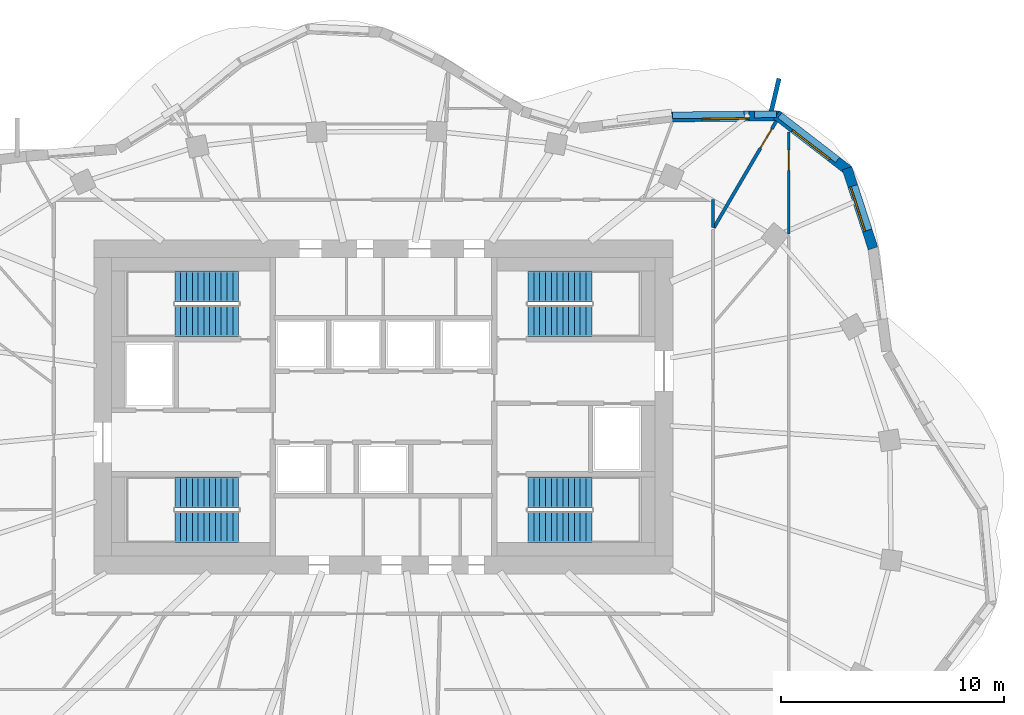
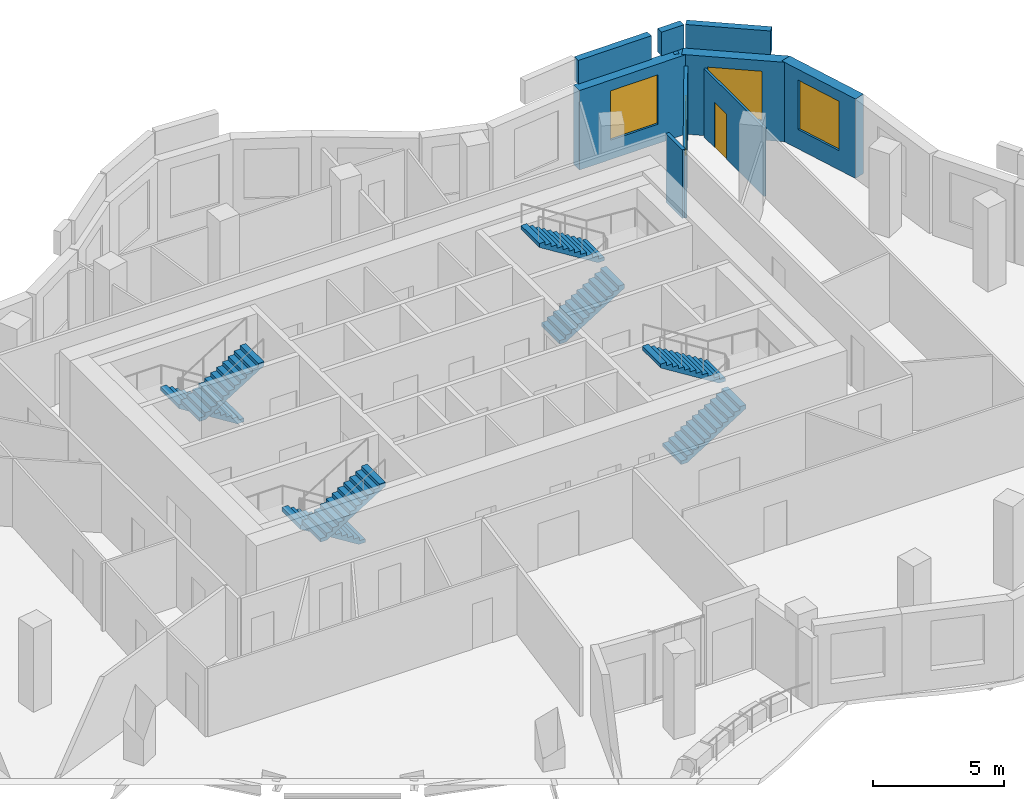
# One storey, part 10 of 12: 10 walls, 8 stair flights, 3 windows, 2 doors, 5 openings, 4 elements without a shape of their own.
"""IFC4 building model written with IfcOpenShell, lengths in metres."""

from ifc_helpers import new_model, si_unit, direction, frame, frame_2d, origin, place, context, subcontext, project, spatial, polyline, rectangle, outline, extrude, material, layer, layer_set, type_object, element, fill, aggregate, save


model = new_model("IFC4")

# Units and contexts
model_context = context("Model", 3, precision=1e-05, world=origin(), true_north=direction((0.0, 1.0)))
body_context = subcontext(model_context, "Body", "Model", "MODEL_VIEW")
ifc_project = project(units=[si_unit("LENGTHUNIT", "METRE"), si_unit("AREAUNIT", "SQUARE_METRE"), si_unit("VOLUMEUNIT", "CUBIC_METRE"), si_unit("PLANEANGLEUNIT", "RADIAN"), si_unit("MASSUNIT", "GRAM", prefix="KILO")], contexts=[model_context])

# Site, building, storey
site_placement = place(None, origin())
site = spatial("IfcSite", under=ifc_project, at=site_placement, CompositionType="ELEMENT")
building_placement = place(site_placement, origin())
building = spatial("IfcBuilding", under=site, at=building_placement, Name="Rubra Terraces Tower", CompositionType="ELEMENT")
storey_placement = place(building_placement, frame((0.0, 0.0, 276.60009765625)))
storey = spatial("IfcBuildingStorey", under=building, at=storey_placement, Name="L68", CompositionType="ELEMENT", Elevation=276.60009765625)

# Wall, opening, window
ifc_material_1 = material(Name="Brick masonry red-brown", Category="masonry")
ifc_layer_1 = layer(ifc_material_1, 0.449951171875)
ifc_layer_set_1 = layer_set([ifc_layer_1], Name="Brick masonry red-brown")
wall_type_1 = type_object("IfcWallType", Name="Brick facade wall 450", PredefinedType="SOLIDWALL", material=ifc_layer_set_1)
wall_1_placement = place(storey_placement, frame((21.985595703125, 11.613037109375, 0.0), z_axis=(0.0, 0.0, 1.0), x_axis=(-0.308280636233, 0.95129545848, 0.0)))
wall_1 = element("IfcWall", 1, at=wall_1_placement, inside=storey, type_object=wall_type_1, Name="Facade wall L68 bay 4", PredefinedType="SOLIDWALL", context=body_context, shape_type="SweptSolid", body=[
    extrude(rectangle(XDim=3.783935546875, YDim=0.449951171875, at=frame_2d((1.89208984375, 0.0))), origin(), (0.0, 0.0, 1.0), 3.699951171875),
])
opening_1_placement = place(wall_1_placement, frame((0.842041015625, 0.0, 0.89990234375)))
opening_1 = element("IfcOpeningElement", 2, at=opening_1_placement, cuts=wall_1, Name="Opening W1B", PredefinedType="OPENING", context=body_context, shape_type="SweptSolid", body=[
    extrude(rectangle(XDim=2.10009765625, YDim=2.300048828125, at=frame_2d((1.050048828125, 1.14990234375))), frame((0.0, 0.23486328125, 0.0), z_axis=(0.0, -1.0, 0.0), x_axis=(1.0, 0.0, 0.0)), (0.0, 0.0, 1.0), 0.469970703125),
])
ifc_material_2 = material(Name="Clear glass in aluminium frame", Category="aluminium")
window_type = type_object("IfcWindowType", Name="Fixed deep-set window tall storey 2100 x 2300", PartitioningType="SINGLE_PANEL", PredefinedType="WINDOW", material=ifc_material_2)
window_1_placement = place(opening_1_placement, origin())
window_1 = element("IfcWindow", 3, at=window_1_placement, inside=storey, type_object=window_type, Name="Window L68 bay 4", OverallHeight=2.300048828125, OverallWidth=2.10009765625, PartitioningType="SINGLE_PANEL", PredefinedType="WINDOW", context=body_context, shape_type="SweptSolid", body=[
    extrude(rectangle(XDim=2.10009765625, YDim=2.300048828125, at=frame_2d((1.050048828125, 1.14990234375))), frame((0.0, 0.135009765625, 0.0), z_axis=(0.0, -1.0, 0.0), x_axis=(1.0, 0.0, 0.0)), (0.0, 0.0, 1.0), 0.06005859375),
])
fill(opening_1, window_1)

wall_2_placement = place(storey_placement, frame((20.8955078125, 15.10400390625, 0.0), z_axis=(0.0, 0.0, 1.0), x_axis=(-0.791693388686, 0.610918634771, 0.0)))
wall_2 = element("IfcWall", 4, at=wall_2_placement, inside=storey, type_object=wall_type_1, Name="Facade wall L68 bay 5", PredefinedType="SOLIDWALL", context=body_context, shape_type="SweptSolid", body=[
    extrude(rectangle(XDim=4.10009765625, YDim=0.449951171875, at=frame_2d((2.050048828125, 0.0))), origin(), (0.0, 0.0, 1.0), 3.699951171875),
])
opening_2_placement = place(wall_2_placement, frame((1.0, 0.0, 0.89990234375)))
opening_2 = element("IfcOpeningElement", 5, at=opening_2_placement, cuts=wall_2, Name="Opening W1B", PredefinedType="OPENING", context=body_context, shape_type="SweptSolid", body=[
    extrude(rectangle(XDim=2.10009765625, YDim=2.300048828125, at=frame_2d((1.050048828125, 1.14990234375))), frame((0.0, 0.23486328125, 0.0), z_axis=(0.0, -1.0, 0.0), x_axis=(1.0, 0.0, 0.0)), (0.0, 0.0, 1.0), 0.469970703125),
])
window_2_placement = place(opening_2_placement, origin())
window_2 = element("IfcWindow", 6, at=window_2_placement, inside=storey, type_object=window_type, Name="Window L68 bay 5", OverallHeight=2.300048828125, OverallWidth=2.10009765625, PartitioningType="SINGLE_PANEL", PredefinedType="WINDOW", context=body_context, shape_type="SweptSolid", body=[
    extrude(rectangle(XDim=2.10009765625, YDim=2.300048828125, at=frame_2d((1.050048828125, 1.14990234375))), frame((0.0, 0.135009765625, 0.0), z_axis=(0.0, -1.0, 0.0), x_axis=(1.0, 0.0, 0.0)), (0.0, 0.0, 1.0), 0.06005859375),
])
fill(opening_2, window_2)

wall_3_placement = place(storey_placement, frame((17.786376953125, 17.56201171875, 0.0), z_axis=(0.0, 0.0, 1.0), x_axis=(-0.999950280333, -0.00997180335, 0.0)))
wall_3 = element("IfcWall", 7, at=wall_3_placement, inside=storey, type_object=wall_type_1, Name="Facade wall L68 bay 6", PredefinedType="SOLIDWALL", context=body_context, shape_type="SweptSolid", body=[
    extrude(rectangle(XDim=4.84765625, YDim=0.449951171875, at=frame_2d((2.423828125, 0.0))), origin(), (0.0, 0.0, 1.0), 3.699951171875),
])
opening_3_placement = place(wall_3_placement, frame((1.373779296875, 0.0, 0.89990234375)))
opening_3 = element("IfcOpeningElement", 8, at=opening_3_placement, cuts=wall_3, Name="Opening W1B", PredefinedType="OPENING", context=body_context, shape_type="SweptSolid", body=[
    extrude(rectangle(XDim=2.10009765625, YDim=2.300048828125, at=frame_2d((1.050048828125, 1.14990234375))), frame((0.0, 0.23486328125, 0.0), z_axis=(0.0, -1.0, 0.0), x_axis=(1.0, 0.0, 0.0)), (0.0, 0.0, 1.0), 0.469970703125),
])
window_3_placement = place(opening_3_placement, origin())
window_3 = element("IfcWindow", 9, at=window_3_placement, inside=storey, type_object=window_type, Name="Window L68 bay 6", OverallHeight=2.300048828125, OverallWidth=2.10009765625, PartitioningType="SINGLE_PANEL", PredefinedType="WINDOW", context=body_context, shape_type="SweptSolid", body=[
    extrude(rectangle(XDim=2.10009765625, YDim=2.300048828125, at=frame_2d((1.050048828125, 1.14990234375))), frame((0.0, 0.135009765625, 0.0), z_axis=(0.0, -1.0, 0.0), x_axis=(1.0, 0.0, 0.0)), (0.0, 0.0, 1.0), 0.06005859375),
])
fill(opening_3, window_3)

# Walls
ifc_layer_2 = layer(ifc_material_1, 0.300048828125)
ifc_layer_set_2 = layer_set([ifc_layer_2], Name="Brick masonry red-brown")
wall_type_2 = type_object("IfcWallType", Name="Brick parapet 300", PredefinedType="PARAPET", material=ifc_layer_set_2)
wall_4_placement = place(storey_placement, frame((20.3955078125, 15.58447265625, 3.89990234375), z_axis=(0.0, 0.0, 1.0), x_axis=(-0.791653544836, 0.610970265191, 0.0)))
element("IfcWall", 10, at=wall_4_placement, inside=storey, type_object=wall_type_2, Name="Parapet L68 bay 5", PredefinedType="PARAPET", context=body_context, shape_type="SweptSolid", body=[
    extrude(rectangle(XDim=3.276611328125, YDim=0.300048828125, at=frame_2d((1.63818359375, 0.0))), origin(), (0.0, 0.0, 1.0), 1.10009765625),
])
wall_5_placement = place(storey_placement, frame((17.654541015625, 17.6357421875, 3.89990234375), z_axis=(0.0, 0.0, 1.0), x_axis=(-0.999949189172, -0.010080628659, 0.0)))
element("IfcWall", 11, at=wall_5_placement, inside=storey, type_object=wall_type_2, Name="Parapet L68 bay 6", PredefinedType="PARAPET", context=body_context, shape_type="SweptSolid", body=[
    extrude(rectangle(XDim=0.992919921875, YDim=0.300048828125, at=frame_2d((0.49658203125, 0.0))), origin(), (0.0, 0.0, 1.0), 1.10009765625),
])
wall_6_placement = place(storey_placement, frame((16.20458984375, 17.62109375, 3.89990234375), z_axis=(0.0, 0.0, 1.0), x_axis=(-0.999950267811, -0.009973058961, 0.0)))
element("IfcWall", 12, at=wall_6_placement, inside=storey, type_object=wall_type_2, Name="Parapet L68 bay 6.2", PredefinedType="PARAPET", context=body_context, shape_type="SweptSolid", body=[
    extrude(rectangle(XDim=3.2314453125, YDim=0.300048828125, at=frame_2d((1.61572265625, 0.0))), origin(), (0.0, 0.0, 1.0), 1.10009765625),
])
ifc_layer_3 = layer(ifc_material_1, 0.199951171875)
ifc_layer_set_3 = layer_set([ifc_layer_3], Name="Brick masonry red-brown")
wall_type_3 = type_object("IfcWallType", Name="Brick wind fin 200", PredefinedType="SOLIDWALL", material=ifc_layer_set_3)
wall_7_placement = place(storey_placement, frame((17.362060546875, 17.5380859375, 0.0), z_axis=(0.0, 0.0, 1.0), x_axis=(0.230469860183, 0.973079464148, 0.0)))
element("IfcWall", 13, at=wall_7_placement, inside=storey, type_object=wall_type_3, Name="Wind fin L68 3", PredefinedType="SOLIDWALL", context=body_context, shape_type="SweptSolid", body=[
    extrude(rectangle(XDim=1.75, YDim=0.199951171875, at=frame_2d((0.875, 0.0))), origin(), (0.0, 0.0, 1.0), 3.699951171875),
])
ifc_material_3 = material(Name="Plasterboard on steel stud, mineral wool infill", Category="steel")
ifc_layer_4 = layer(ifc_material_3, 0.14990234375)
ifc_layer_set_4 = layer_set([ifc_layer_4], Name="Plasterboard on steel stud, mineral wool infill")
wall_type_4 = type_object("IfcWallType", Name="CORRIDOR PARTITION 150", PredefinedType="PARTITIONING", material=ifc_layer_set_4)
wall_8_placement = place(storey_placement, frame((14.800048828125, 12.546630859375, 0.0), z_axis=(0.0, 0.0, 1.0), x_axis=(0.0, 1.0, 0.0)))
element("IfcWall", 14, at=wall_8_placement, inside=storey, type_object=wall_type_4, Name="PARTITION", PredefinedType="PARTITIONING", context=body_context, shape_type="SweptSolid", body=[
    extrude(rectangle(XDim=1.25341796875, YDim=0.14990234375, at=frame_2d((0.626708984375, 0.0))), origin(), (0.0, 0.0, 1.0), 3.197998046875),
])

# Wall, opening, door
ifc_material_4 = material(Name="Plasterboard on steel stud", Category="steel")
ifc_layer_5 = layer(ifc_material_4, 0.10009765625)
ifc_layer_set_5 = layer_set([ifc_layer_5], Name="Plasterboard on steel stud")
wall_type_5 = type_object("IfcWallType", Name="ROOM PARTITION 100", PredefinedType="PARTITIONING", material=ifc_layer_set_5)
wall_9_placement = place(storey_placement, frame((18.199951171875, 16.831787109375, 0.0), z_axis=(0.0, 0.0, 1.0), x_axis=(0.0, -1.0, 0.0)))
wall_9 = element("IfcWall", 15, at=wall_9_placement, inside=storey, type_object=wall_type_5, Name="PARTITION", PredefinedType="PARTITIONING", context=body_context, shape_type="SweptSolid", body=[
    extrude(rectangle(XDim=4.580322265625, YDim=0.10009765625, at=frame_2d((2.2900390625, 0.0))), origin(), (0.0, 0.0, 1.0), 3.183837890625),
])
opening_4_placement = place(wall_9_placement, frame((0.81103515625, 0.0, 0.0)))
opening_4 = element("IfcOpeningElement", 16, at=opening_4_placement, cuts=wall_9, Name="Opening 68-119", PredefinedType="OPENING", context=body_context, shape_type="SweptSolid", body=[
    extrude(rectangle(XDim=0.89990234375, YDim=2.10009765625, at=frame_2d((0.449951171875, 1.050048828125))), frame((0.0, 0.06005859375, 0.0), z_axis=(0.0, -1.0, 0.0), x_axis=(1.0, 0.0, 0.0)), (0.0, 0.0, 1.0), 0.1201171875),
])
ifc_material_5 = material(Name="Painted timber door leaf", Category="wood")
door_type_1 = type_object("IfcDoorType", Name="ROOM DOOR 900 X 2100", OperationType="SINGLE_SWING_LEFT", PredefinedType="DOOR", material=ifc_material_5)
door_1_placement = place(opening_4_placement, origin())
door_1 = element("IfcDoor", 17, at=door_1_placement, inside=storey, type_object=door_type_1, Name="DOOR 68-119", OperationType="SINGLE_SWING_LEFT", OverallHeight=2.10009765625, OverallWidth=0.89990234375, PredefinedType="DOOR", context=body_context, shape_type="SweptSolid", body=[
    extrude(rectangle(XDim=0.89990234375, YDim=2.10009765625, at=frame_2d((0.449951171875, 1.050048828125))), frame((0.0, 0.02490234375, 0.0), z_axis=(0.0, -1.0, 0.0), x_axis=(1.0, 0.0, 0.0)), (0.0, 0.0, 1.0), 0.050048828125),
])
fill(opening_4, door_1)

ifc_layer_6 = layer(ifc_material_4, 0.14990234375)
ifc_layer_set_6 = layer_set([ifc_layer_6], Name="Plasterboard on steel stud")
wall_type_6 = type_object("IfcWallType", Name="ROOM PARTITION 150", PredefinedType="PARTITIONING", material=ifc_layer_set_6)
wall_10_placement = place(storey_placement, frame((17.64208984375, 17.3251953125, 0.0), z_axis=(0.0, 0.0, 1.0), x_axis=(-0.505311858982, -0.862936802537, 0.0)))
wall_10 = element("IfcWall", 18, at=wall_10_placement, inside=storey, type_object=wall_type_6, Name="PARTITION", PredefinedType="PARTITIONING", context=body_context, shape_type="SweptSolid", body=[
    extrude(rectangle(XDim=5.549560546875, YDim=0.14990234375, at=frame_2d((2.77490234375, 0.0))), origin(), (0.0, 0.0, 1.0), 3.183837890625),
])
opening_5_placement = place(wall_10_placement, frame((0.39990234375, 0.0, 0.0)))
opening_5 = element("IfcOpeningElement", 19, at=opening_5_placement, cuts=wall_10, Name="Opening 68-121", PredefinedType="OPENING", context=body_context, shape_type="SweptSolid", body=[
    extrude(rectangle(XDim=1.0, YDim=2.10009765625, at=frame_2d((0.5, 1.050048828125))), frame((0.0, 0.0849609375, 0.0), z_axis=(0.0, -1.0, 0.0), x_axis=(1.0, 0.0, 0.0)), (0.0, 0.0, 1.0), 0.169921875),
])
door_type_2 = type_object("IfcDoorType", Name="ROOM DOOR 1000 X 2100", OperationType="SINGLE_SWING_LEFT", PredefinedType="DOOR", material=ifc_material_5)
door_2_placement = place(opening_5_placement, origin())
door_2 = element("IfcDoor", 20, at=door_2_placement, inside=storey, type_object=door_type_2, Name="DOOR 68-121", OperationType="SINGLE_SWING_LEFT", OverallHeight=2.10009765625, OverallWidth=1.0, PredefinedType="DOOR", context=body_context, shape_type="SweptSolid", body=[
    extrude(rectangle(XDim=1.0, YDim=2.10009765625, at=frame_2d((0.5, 1.050048828125))), frame((0.0, 0.02490234375, 0.0), z_axis=(0.0, -1.0, 0.0), x_axis=(1.0, 0.0, 0.0)), (0.0, 0.0, 1.0), 0.050048828125),
])
fill(opening_5, door_2)

# Stair, stair flights
ifc_material_6 = material(Name="Concrete C40", Category="concrete")
stair_type = type_object("IfcStairType", Name="Core stair 1400", PredefinedType="HALF_TURN_STAIR", material=ifc_material_6)
stair_1_placement = place(storey_placement, origin())
stair_1 = element("IfcStair", 21, at=stair_1_placement, inside=storey, type_object=stair_type, Name="L68 Exit stair S1", PredefinedType="HALF_TURN_STAIR")
stair_flight_type = type_object("IfcStairFlightType", Name="Core stair flight 1400", PredefinedType="STRAIGHT", material=ifc_material_6)
stair_flight_1_placement = place(storey_placement, frame((-6.5, 0.64990234375, 0.0), z_axis=(0.0, 0.0, 1.0), x_axis=(-1.0, 0.0, 0.0)))
stair_flight_1 = element("IfcStairFlight", 22, at=stair_flight_1_placement, type_object=stair_flight_type, Name="S1 flight 1", NumberOfRisers=12, NumberOfTreads=11, PredefinedType="STRAIGHT", RiserHeight=0.1625, TreadLength=0.26, context=body_context, shape_type="SweptSolid", body=[
    extrude(outline(polyline([(0.0, 0.0), (0.0, 0.16259765625), (0.260009765625, 0.16259765625), (0.260009765625, 0.324951171875), (0.52001953125, 0.324951171875), (0.52001953125, 0.487548828125), (0.780029296875, 0.487548828125), (0.780029296875, 0.64990234375), (1.0400390625, 0.64990234375), (1.0400390625, 0.8125), (1.300048828125, 0.8125), (1.300048828125, 0.97509765625), (1.56005859375, 0.97509765625), (1.56005859375, 1.137451171875), (1.820068359375, 1.137451171875), (1.820068359375, 1.300048828125), (2.080078125, 1.300048828125), (2.080078125, 1.46240234375), (2.340087890625, 1.46240234375), (2.340087890625, 1.625), (2.60009765625, 1.625), (2.60009765625, 1.78759765625), (2.860107421875, 1.78759765625), (2.860107421875, 1.949951171875), (2.860107421875, 1.61083984375), (0.28271484375, 0.0), (0.0, 0.0)])), frame((0.0, 0.699951171875, 0.0), z_axis=(0.0, -1.0, 0.0), x_axis=(1.0, 0.0, 0.0)), (0.0, 0.0, 1.0), 1.39990234375),
])
stair_flight_2_placement = place(storey_placement, frame((-9.360107421875, -0.89990234375, 1.949951171875), z_axis=(0.0, 0.0, 1.0), x_axis=(1.0, 0.0, 0.0)))
stair_flight_2 = element("IfcStairFlight", 23, at=stair_flight_2_placement, type_object=stair_flight_type, Name="S1 flight 2", NumberOfRisers=12, NumberOfTreads=11, PredefinedType="STRAIGHT", RiserHeight=0.1625, TreadLength=0.26, context=body_context, shape_type="SweptSolid", body=[
    extrude(outline(polyline([(0.0, 0.0), (0.0, 0.16259765625), (0.260009765625, 0.16259765625), (0.260009765625, 0.324951171875), (0.52001953125, 0.324951171875), (0.52001953125, 0.487548828125), (0.780029296875, 0.487548828125), (0.780029296875, 0.64990234375), (1.0400390625, 0.64990234375), (1.0400390625, 0.8125), (1.300048828125, 0.8125), (1.300048828125, 0.97509765625), (1.56005859375, 0.97509765625), (1.56005859375, 1.137451171875), (1.820068359375, 1.137451171875), (1.820068359375, 1.300048828125), (2.080078125, 1.300048828125), (2.080078125, 1.46240234375), (2.340087890625, 1.46240234375), (2.340087890625, 1.625), (2.60009765625, 1.625), (2.60009765625, 1.78759765625), (2.860107421875, 1.78759765625), (2.860107421875, 1.949951171875), (2.860107421875, 1.61083984375), (0.28271484375, 0.0), (0.0, 0.0)])), frame((0.0, 0.699951171875, 0.0), z_axis=(0.0, -1.0, 0.0), x_axis=(1.0, 0.0, 0.0)), (0.0, 0.0, 1.0), 1.39990234375),
])
aggregate(stair_1, [stair_flight_1, stair_flight_2])

stair_2_placement = place(storey_placement, origin())
stair_2 = element("IfcStair", 24, at=stair_2_placement, inside=storey, type_object=stair_type, Name="L68 Exit stair S2", PredefinedType="HALF_TURN_STAIR")
stair_flight_3_placement = place(storey_placement, frame((-6.5, 9.89990234375, 0.0), z_axis=(0.0, 0.0, 1.0), x_axis=(-1.0, 0.0, 0.0)))
stair_flight_3 = element("IfcStairFlight", 25, at=stair_flight_3_placement, type_object=stair_flight_type, Name="S2 flight 1", NumberOfRisers=12, NumberOfTreads=11, PredefinedType="STRAIGHT", RiserHeight=0.1625, TreadLength=0.26, context=body_context, shape_type="SweptSolid", body=[
    extrude(outline(polyline([(0.0, 0.0), (0.0, 0.16259765625), (0.260009765625, 0.16259765625), (0.260009765625, 0.324951171875), (0.52001953125, 0.324951171875), (0.52001953125, 0.487548828125), (0.780029296875, 0.487548828125), (0.780029296875, 0.64990234375), (1.0400390625, 0.64990234375), (1.0400390625, 0.8125), (1.300048828125, 0.8125), (1.300048828125, 0.97509765625), (1.56005859375, 0.97509765625), (1.56005859375, 1.137451171875), (1.820068359375, 1.137451171875), (1.820068359375, 1.300048828125), (2.080078125, 1.300048828125), (2.080078125, 1.46240234375), (2.340087890625, 1.46240234375), (2.340087890625, 1.625), (2.60009765625, 1.625), (2.60009765625, 1.78759765625), (2.860107421875, 1.78759765625), (2.860107421875, 1.949951171875), (2.860107421875, 1.61083984375), (0.28271484375, 0.0), (0.0, 0.0)])), frame((0.0, 0.699951171875, 0.0), z_axis=(0.0, -1.0, 0.0), x_axis=(1.0, 0.0, 0.0)), (0.0, 0.0, 1.0), 1.39990234375),
])
stair_flight_4_placement = place(storey_placement, frame((-9.360107421875, 8.35009765625, 1.949951171875), z_axis=(0.0, 0.0, 1.0), x_axis=(1.0, 0.0, 0.0)))
stair_flight_4 = element("IfcStairFlight", 26, at=stair_flight_4_placement, type_object=stair_flight_type, Name="S2 flight 2", NumberOfRisers=12, NumberOfTreads=11, PredefinedType="STRAIGHT", RiserHeight=0.1625, TreadLength=0.26, context=body_context, shape_type="SweptSolid", body=[
    extrude(outline(polyline([(0.0, 0.0), (0.0, 0.16259765625), (0.260009765625, 0.16259765625), (0.260009765625, 0.324951171875), (0.52001953125, 0.324951171875), (0.52001953125, 0.487548828125), (0.780029296875, 0.487548828125), (0.780029296875, 0.64990234375), (1.0400390625, 0.64990234375), (1.0400390625, 0.8125), (1.300048828125, 0.8125), (1.300048828125, 0.97509765625), (1.56005859375, 0.97509765625), (1.56005859375, 1.137451171875), (1.820068359375, 1.137451171875), (1.820068359375, 1.300048828125), (2.080078125, 1.300048828125), (2.080078125, 1.46240234375), (2.340087890625, 1.46240234375), (2.340087890625, 1.625), (2.60009765625, 1.625), (2.60009765625, 1.78759765625), (2.860107421875, 1.78759765625), (2.860107421875, 1.949951171875), (2.860107421875, 1.61083984375), (0.28271484375, 0.0), (0.0, 0.0)])), frame((0.0, 0.699951171875, 0.0), z_axis=(0.0, -1.0, 0.0), x_axis=(1.0, 0.0, 0.0)), (0.0, 0.0, 1.0), 1.39990234375),
])
aggregate(stair_2, [stair_flight_3, stair_flight_4])

stair_3_placement = place(storey_placement, origin())
stair_3 = element("IfcStair", 27, at=stair_3_placement, inside=storey, type_object=stair_type, Name="L68 Exit stair S3", PredefinedType="HALF_TURN_STAIR")
stair_flight_5_placement = place(storey_placement, frame((6.5, 8.35009765625, 0.0), z_axis=(0.0, 0.0, 1.0), x_axis=(1.0, 0.0, 0.0)))
stair_flight_5 = element("IfcStairFlight", 28, at=stair_flight_5_placement, type_object=stair_flight_type, Name="S3 flight 1", NumberOfRisers=12, NumberOfTreads=11, PredefinedType="STRAIGHT", RiserHeight=0.1625, TreadLength=0.26, context=body_context, shape_type="SweptSolid", body=[
    extrude(outline(polyline([(0.0, 0.0), (0.0, 0.16259765625), (0.260009765625, 0.16259765625), (0.260009765625, 0.324951171875), (0.52001953125, 0.324951171875), (0.52001953125, 0.487548828125), (0.780029296875, 0.487548828125), (0.780029296875, 0.64990234375), (1.0400390625, 0.64990234375), (1.0400390625, 0.8125), (1.300048828125, 0.8125), (1.300048828125, 0.97509765625), (1.56005859375, 0.97509765625), (1.56005859375, 1.137451171875), (1.820068359375, 1.137451171875), (1.820068359375, 1.300048828125), (2.080078125, 1.300048828125), (2.080078125, 1.46240234375), (2.340087890625, 1.46240234375), (2.340087890625, 1.625), (2.60009765625, 1.625), (2.60009765625, 1.78759765625), (2.860107421875, 1.78759765625), (2.860107421875, 1.949951171875), (2.860107421875, 1.61083984375), (0.28271484375, 0.0), (0.0, 0.0)])), frame((0.0, 0.699951171875, 0.0), z_axis=(0.0, -1.0, 0.0), x_axis=(1.0, 0.0, 0.0)), (0.0, 0.0, 1.0), 1.39990234375),
])
stair_flight_6_placement = place(storey_placement, frame((9.360107421875, 9.89990234375, 1.949951171875), z_axis=(0.0, 0.0, 1.0), x_axis=(-1.0, 0.0, 0.0)))
stair_flight_6 = element("IfcStairFlight", 29, at=stair_flight_6_placement, type_object=stair_flight_type, Name="S3 flight 2", NumberOfRisers=12, NumberOfTreads=11, PredefinedType="STRAIGHT", RiserHeight=0.1625, TreadLength=0.26, context=body_context, shape_type="SweptSolid", body=[
    extrude(outline(polyline([(0.0, 0.0), (0.0, 0.16259765625), (0.260009765625, 0.16259765625), (0.260009765625, 0.324951171875), (0.52001953125, 0.324951171875), (0.52001953125, 0.487548828125), (0.780029296875, 0.487548828125), (0.780029296875, 0.64990234375), (1.0400390625, 0.64990234375), (1.0400390625, 0.8125), (1.300048828125, 0.8125), (1.300048828125, 0.97509765625), (1.56005859375, 0.97509765625), (1.56005859375, 1.137451171875), (1.820068359375, 1.137451171875), (1.820068359375, 1.300048828125), (2.080078125, 1.300048828125), (2.080078125, 1.46240234375), (2.340087890625, 1.46240234375), (2.340087890625, 1.625), (2.60009765625, 1.625), (2.60009765625, 1.78759765625), (2.860107421875, 1.78759765625), (2.860107421875, 1.949951171875), (2.860107421875, 1.61083984375), (0.28271484375, 0.0), (0.0, 0.0)])), frame((0.0, 0.699951171875, 0.0), z_axis=(0.0, -1.0, 0.0), x_axis=(1.0, 0.0, 0.0)), (0.0, 0.0, 1.0), 1.39990234375),
])
aggregate(stair_3, [stair_flight_5, stair_flight_6])

stair_4_placement = place(storey_placement, origin())
stair_4 = element("IfcStair", 30, at=stair_4_placement, inside=storey, type_object=stair_type, Name="L68 Exit stair S4", PredefinedType="HALF_TURN_STAIR")
stair_flight_7_placement = place(storey_placement, frame((6.5, -0.89990234375, 0.0), z_axis=(0.0, 0.0, 1.0), x_axis=(1.0, 0.0, 0.0)))
stair_flight_7 = element("IfcStairFlight", 31, at=stair_flight_7_placement, type_object=stair_flight_type, Name="S4 flight 1", NumberOfRisers=12, NumberOfTreads=11, PredefinedType="STRAIGHT", RiserHeight=0.1625, TreadLength=0.26, context=body_context, shape_type="SweptSolid", body=[
    extrude(outline(polyline([(0.0, 0.0), (0.0, 0.16259765625), (0.260009765625, 0.16259765625), (0.260009765625, 0.324951171875), (0.52001953125, 0.324951171875), (0.52001953125, 0.487548828125), (0.780029296875, 0.487548828125), (0.780029296875, 0.64990234375), (1.0400390625, 0.64990234375), (1.0400390625, 0.8125), (1.300048828125, 0.8125), (1.300048828125, 0.97509765625), (1.56005859375, 0.97509765625), (1.56005859375, 1.137451171875), (1.820068359375, 1.137451171875), (1.820068359375, 1.300048828125), (2.080078125, 1.300048828125), (2.080078125, 1.46240234375), (2.340087890625, 1.46240234375), (2.340087890625, 1.625), (2.60009765625, 1.625), (2.60009765625, 1.78759765625), (2.860107421875, 1.78759765625), (2.860107421875, 1.949951171875), (2.860107421875, 1.61083984375), (0.28271484375, 0.0), (0.0, 0.0)])), frame((0.0, 0.699951171875, 0.0), z_axis=(0.0, -1.0, 0.0), x_axis=(1.0, 0.0, 0.0)), (0.0, 0.0, 1.0), 1.39990234375),
])
stair_flight_8_placement = place(storey_placement, frame((9.360107421875, 0.64990234375, 1.949951171875), z_axis=(0.0, 0.0, 1.0), x_axis=(-1.0, 0.0, 0.0)))
stair_flight_8 = element("IfcStairFlight", 32, at=stair_flight_8_placement, type_object=stair_flight_type, Name="S4 flight 2", NumberOfRisers=12, NumberOfTreads=11, PredefinedType="STRAIGHT", RiserHeight=0.1625, TreadLength=0.26, context=body_context, shape_type="SweptSolid", body=[
    extrude(outline(polyline([(0.0, 0.0), (0.0, 0.16259765625), (0.260009765625, 0.16259765625), (0.260009765625, 0.324951171875), (0.52001953125, 0.324951171875), (0.52001953125, 0.487548828125), (0.780029296875, 0.487548828125), (0.780029296875, 0.64990234375), (1.0400390625, 0.64990234375), (1.0400390625, 0.8125), (1.300048828125, 0.8125), (1.300048828125, 0.97509765625), (1.56005859375, 0.97509765625), (1.56005859375, 1.137451171875), (1.820068359375, 1.137451171875), (1.820068359375, 1.300048828125), (2.080078125, 1.300048828125), (2.080078125, 1.46240234375), (2.340087890625, 1.46240234375), (2.340087890625, 1.625), (2.60009765625, 1.625), (2.60009765625, 1.78759765625), (2.860107421875, 1.78759765625), (2.860107421875, 1.949951171875), (2.860107421875, 1.61083984375), (0.28271484375, 0.0), (0.0, 0.0)])), frame((0.0, 0.699951171875, 0.0), z_axis=(0.0, -1.0, 0.0), x_axis=(1.0, 0.0, 0.0)), (0.0, 0.0, 1.0), 1.39990234375),
])
aggregate(stair_4, [stair_flight_7, stair_flight_8])

save(model, "model.ifc")
